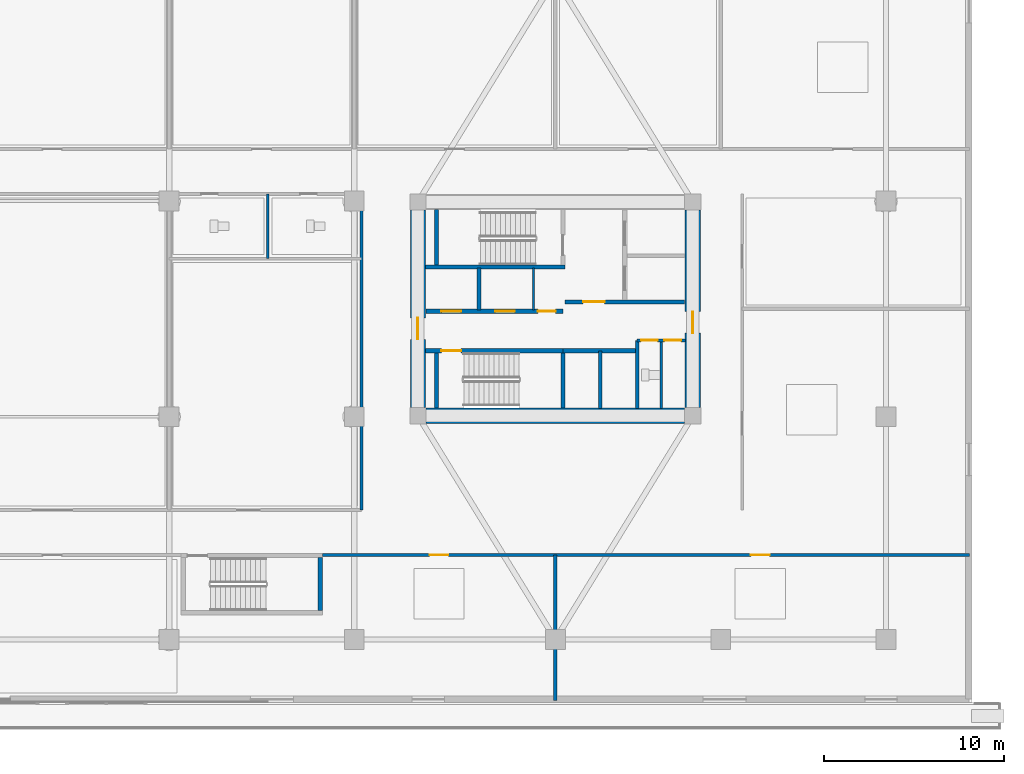
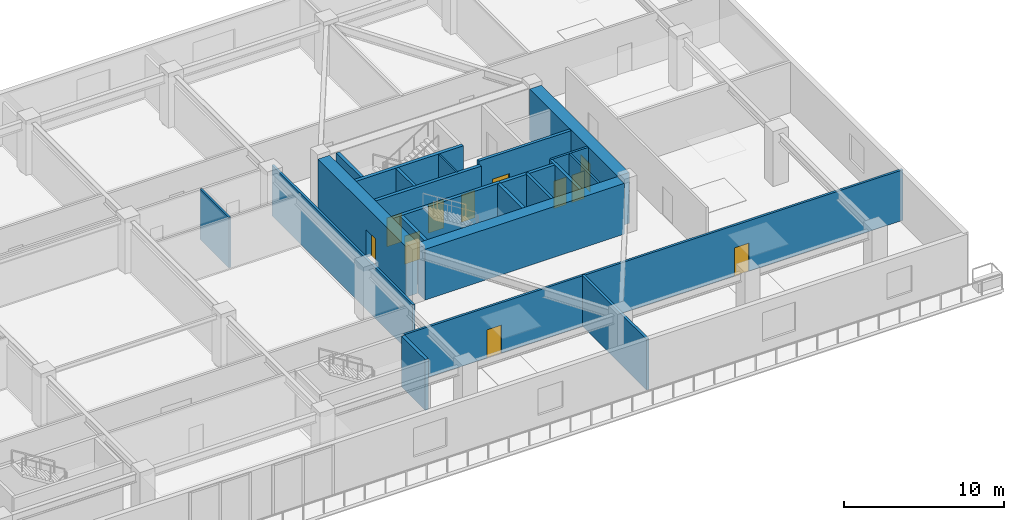
# One storey, part 11 of 23: 22 walls, 11 doors, 11 openings.
"""IFC4 building model written with IfcOpenShell, lengths in metres."""

from ifc_helpers import new_model, si_unit, direction, frame, frame_2d, origin, place, context, subcontext, project, spatial, rectangle, extrude, source, transform, mapped, material, layer, layer_set, type_object, type_shapes, element, fill, save


model = new_model("IFC4")

# Units and contexts
model_context = context("Model", 3, precision=1e-05, world=origin(), true_north=direction((0.0, 1.0)))
body_context = subcontext(model_context, "Body", "Model", "MODEL_VIEW")
ifc_project = project(units=[si_unit("LENGTHUNIT", "METRE"), si_unit("AREAUNIT", "SQUARE_METRE"), si_unit("VOLUMEUNIT", "CUBIC_METRE"), si_unit("PLANEANGLEUNIT", "RADIAN"), si_unit("MASSUNIT", "GRAM", prefix="KILO")], contexts=[model_context])

# Site, building, storey
site_placement = place(None, origin())
site = spatial("IfcSite", under=ifc_project, at=site_placement, CompositionType="ELEMENT")
building_placement = place(site_placement, origin())
building = spatial("IfcBuilding", under=site, at=building_placement, Name="Norrkilde Senior Care Towers", CompositionType="ELEMENT")
storey_placement = place(building_placement, frame((0.0, 0.0, 8.39990234375)))
storey = spatial("IfcBuildingStorey", under=building, at=storey_placement, Name="L02", CompositionType="ELEMENT", Elevation=8.39990234375)

# Wall
ifc_material_1 = material(Name="Concrete C60/75", Category="concrete")
ifc_layer_1 = layer(ifc_material_1, 0.85009765625)
ifc_layer_set_1 = layer_set([ifc_layer_1], Name="Concrete C60/75")
wall_type_1 = type_object("IfcWallType", Name="Core Shear Wall Z1 850", PredefinedType="SHEAR", material=ifc_layer_set_1)
shared_shape_1 = source(origin(), body_context, "Body", "SweptSolid", [
    extrude(rectangle(XDim=14.39990234375, YDim=0.85009765625, at=frame_2d((7.199951171875, 0.0))), origin(), (0.0, 0.0, 1.0), 3.880126953125),
])
wall_1_placement = place(storey_placement, frame((35.199951171875, -5.949951171875, 0.0), z_axis=(0.0, 0.0, 1.0), x_axis=(-1.0, 0.0, 0.0)))
element("IfcWall", 1, at=wall_1_placement, inside=storey, type_object=wall_type_1, Name="L02 Core E South Shear Wall", PredefinedType="SHEAR", context=body_context, shape_type="MappedRepresentation", body=[
    mapped(shared_shape_1, transform((0.0, 0.0, 0.0), x_axis=(1.0, 0.0, 0.0), y_axis=(0.0, 1.0, 0.0), z_axis=(0.0, 0.0, 1.0), scale=1.0)),
])

# Wall, opening, door
shared_shape_2 = source(origin(), body_context, "Body", "SweptSolid", [
    extrude(rectangle(XDim=11.0, YDim=0.85009765625, at=frame_2d((5.5, 0.0))), origin(), (0.0, 0.0, 1.0), 3.880126953125),
])
type_shapes(wall_type_1, [shared_shape_1, shared_shape_2])
wall_2_placement = place(storey_placement, frame((20.35009765625, -5.5, 0.0), z_axis=(0.0, 0.0, 1.0), x_axis=(0.0, 1.0, 0.0)))
wall_2 = element("IfcWall", 2, at=wall_2_placement, inside=storey, type_object=wall_type_1, Name="L02 Core E West Shear Wall", PredefinedType="SHEAR", context=body_context, shape_type="MappedRepresentation", body=[
    mapped(shared_shape_2, transform((0.0, 0.0, 0.0), x_axis=(1.0, 0.0, 0.0), y_axis=(0.0, 1.0, 0.0), z_axis=(0.0, 0.0, 1.0), scale=1.0)),
])
opening_1_placement = place(wall_2_placement, frame((3.800048828125, 0.0, 0.0)))
opening_1 = element("IfcOpeningElement", 3, at=opening_1_placement, cuts=wall_2, Name="Opening D-04", PredefinedType="OPENING", context=body_context, shape_type="SweptSolid", body=[
    extrude(rectangle(XDim=1.199951171875, YDim=2.14990234375, at=frame_2d((0.60009765625, 1.074951171875))), frame((0.0, 0.43505859375, 0.0), z_axis=(0.0, -1.0, 0.0), x_axis=(1.0, 0.0, 0.0)), (0.0, 0.0, 1.0), 0.8701171875),
])
ifc_material_2 = material(Name="Galvanised Painted Steel", Category="steel")
door_type_1 = type_object("IfcDoorType", Name="Firefighting Lobby Fire Door 1200x2150", OperationType="NOTDEFINED", PredefinedType="DOOR", material=ifc_material_2)
shared_shape_3 = source(origin(), body_context, "Body", "SweptSolid", [
    extrude(rectangle(XDim=1.199951171875, YDim=2.14990234375, at=frame_2d((0.60009765625, 1.074951171875))), frame((0.0, 0.02490234375, 0.0), z_axis=(0.0, -1.0, 0.0), x_axis=(1.0, 0.0, 0.0)), (0.0, 0.0, 1.0), 0.050048828125),
])
type_shapes(door_type_1, [shared_shape_3])
door_1_placement = place(opening_1_placement, frame((1.199951171875, 0.0, 0.0), z_axis=(0.0, 0.0, 1.0), x_axis=(-1.0, 0.0, 0.0)))
door_1 = element("IfcDoor", 4, at=door_1_placement, inside=storey, type_object=door_type_1, Name="L02 Core E West Portal Door", OperationType="SINGLE_SWING_LEFT", OverallHeight=2.14990234375, OverallWidth=1.199951171875, PredefinedType="DOOR", context=body_context, shape_type="MappedRepresentation", body=[
    mapped(shared_shape_3, transform((0.0, 0.0, 0.0), x_axis=(1.0, 0.0, 0.0), y_axis=(0.0, 1.0, 0.0), z_axis=(0.0, 0.0, 1.0), scale=1.0)),
])
fill(opening_1, door_1)

wall_3_placement = place(storey_placement, frame((35.64990234375, 5.5, 0.0), z_axis=(0.0, 0.0, 1.0), x_axis=(0.0, -1.0, 0.0)))
wall_3 = element("IfcWall", 5, at=wall_3_placement, inside=storey, type_object=wall_type_1, Name="L02 Core E East Shear Wall", PredefinedType="SHEAR", context=body_context, shape_type="MappedRepresentation", body=[
    mapped(shared_shape_2, transform((0.0, 0.0, 0.0), x_axis=(1.0, 0.0, 0.0), y_axis=(0.0, 1.0, 0.0), z_axis=(0.0, 0.0, 1.0), scale=1.0)),
])
opening_2_placement = place(wall_3_placement, frame((5.64990234375, 0.0, 0.0)))
opening_2 = element("IfcOpeningElement", 6, at=opening_2_placement, cuts=wall_3, Name="Opening D-04", PredefinedType="OPENING", context=body_context, shape_type="SweptSolid", body=[
    extrude(rectangle(XDim=1.199951171875, YDim=2.14990234375, at=frame_2d((0.60009765625, 1.074951171875))), frame((0.0, 0.43505859375, 0.0), z_axis=(0.0, -1.0, 0.0), x_axis=(1.0, 0.0, 0.0)), (0.0, 0.0, 1.0), 0.8701171875),
])
door_2_placement = place(opening_2_placement, frame((1.199951171875, 0.0, 0.0), z_axis=(0.0, 0.0, 1.0), x_axis=(-1.0, 0.0, 0.0)))
door_2 = element("IfcDoor", 7, at=door_2_placement, inside=storey, type_object=door_type_1, Name="L02 Core E East Portal Door", OperationType="SINGLE_SWING_RIGHT", OverallHeight=2.14990234375, OverallWidth=1.199951171875, PredefinedType="DOOR", context=body_context, shape_type="MappedRepresentation", body=[
    mapped(shared_shape_3, transform((0.0, 0.0, 0.0), x_axis=(1.0, 0.0, 0.0), y_axis=(0.0, 1.0, 0.0), z_axis=(0.0, 0.0, 1.0), scale=1.0)),
])
fill(opening_2, door_2)

ifc_material_3 = material(Name="Concrete C45/55", Category="concrete")
ifc_layer_2 = layer(ifc_material_3, 0.2099609375)
ifc_layer_set_2 = layer_set([ifc_layer_2], Name="Concrete C45/55")
wall_type_2 = type_object("IfcWallType", Name="Firefighting Lobby Wall 210", PredefinedType="PARTITIONING", material=ifc_layer_set_2)
shared_shape_4 = source(origin(), body_context, "Body", "SweptSolid", [
    extrude(rectangle(XDim=6.659912109375, YDim=0.2099609375, at=frame_2d((3.330078125, 0.0))), origin(), (0.0, 0.0, 1.0), 3.864990234375),
])
type_shapes(wall_type_2, [shared_shape_4])
wall_4_placement = place(storey_placement, frame((28.5400390625, 0.389892578125, 0.0), z_axis=(0.0, 0.0, 1.0), x_axis=(1.0, 0.0, 0.0)))
wall_4 = element("IfcWall", 8, at=wall_4_placement, inside=storey, type_object=wall_type_2, Name="WL-INT-L02-E-FFLS", PredefinedType="PARTITIONING", context=body_context, shape_type="MappedRepresentation", body=[
    mapped(shared_shape_4, transform((0.0, 0.0, 0.0), x_axis=(1.0, 0.0, 0.0), y_axis=(0.0, 1.0, 0.0), z_axis=(0.0, 0.0, 1.0), scale=1.0)),
])
opening_3_placement = place(wall_4_placement, frame((1.0, 0.0, 0.0)))
opening_3 = element("IfcOpeningElement", 9, at=opening_3_placement, cuts=wall_4, Name="Opening D-04", PredefinedType="OPENING", context=body_context, shape_type="SweptSolid", body=[
    extrude(rectangle(XDim=1.199951171875, YDim=2.14990234375, at=frame_2d((0.60009765625, 1.074951171875))), frame((0.0, 0.114990234375, 0.0), z_axis=(0.0, -1.0, 0.0), x_axis=(1.0, 0.0, 0.0)), (0.0, 0.0, 1.0), 0.22998046875),
])
door_3_placement = place(opening_3_placement, frame((1.199951171875, 0.0, 0.0), z_axis=(0.0, 0.0, 1.0), x_axis=(-1.0, 0.0, 0.0)))
door_3 = element("IfcDoor", 10, at=door_3_placement, inside=storey, type_object=door_type_1, Name="L02 Firefighting Lobby E Door", OperationType="SINGLE_SWING_LEFT", OverallHeight=2.14990234375, OverallWidth=1.199951171875, PredefinedType="DOOR", context=body_context, shape_type="MappedRepresentation", body=[
    mapped(shared_shape_3, transform((0.0, 0.0, 0.0), x_axis=(1.0, 0.0, 0.0), y_axis=(0.0, 1.0, 0.0), z_axis=(0.0, 0.0, 1.0), scale=1.0)),
])
fill(opening_3, door_3)

# Wall, openings, doors
ifc_layer_3 = layer(ifc_material_3, 0.239990234375)
ifc_layer_set_3 = layer_set([ifc_layer_3], Name="Concrete C45/55")
wall_type_3 = type_object("IfcWallType", Name="Lift and Plant Rated Enclosure Partition 240", PredefinedType="PARTITIONING", material=ifc_layer_set_3)
shared_shape_5 = source(origin(), body_context, "Body", "SweptSolid", [
    extrude(rectangle(XDim=7.619873046875, YDim=0.239990234375, at=frame_2d((3.81005859375, 0.0))), origin(), (0.0, 0.0, 1.0), 3.864990234375),
])
wall_5_placement = place(storey_placement, frame((20.800048828125, -0.1298828125, 0.0), z_axis=(0.0, 0.0, 1.0), x_axis=(1.0, 0.0, 0.0)))
wall_5 = element("IfcWall", 11, at=wall_5_placement, inside=storey, type_object=wall_type_3, Name="WL-INT-L02-E-PKAS", PredefinedType="PARTITIONING", context=body_context, shape_type="MappedRepresentation", body=[
    mapped(shared_shape_5, transform((0.0, 0.0, 0.0), x_axis=(1.0, 0.0, 0.0), y_axis=(0.0, 1.0, 0.0), z_axis=(0.0, 0.0, 1.0), scale=1.0)),
])
opening_4_placement = place(wall_5_placement, frame((6.219970703125, 0.0, 0.0)))
opening_4 = element("IfcOpeningElement", 12, at=opening_4_placement, cuts=wall_5, Name="Opening D-10", PredefinedType="OPENING", context=body_context, shape_type="SweptSolid", body=[
    extrude(rectangle(XDim=1.0, YDim=2.10009765625, at=frame_2d((0.5, 1.050048828125))), frame((0.0, 0.1298828125, 0.0), z_axis=(0.0, -1.0, 0.0), x_axis=(1.0, 0.0, 0.0)), (0.0, 0.0, 1.0), 0.260009765625),
])
opening_5_placement = place(wall_5_placement, frame((0.85009765625, 0.0, 0.0)))
opening_5 = element("IfcOpeningElement", 13, at=opening_5_placement, cuts=wall_5, Name="Opening LD-01", PredefinedType="OPENING", context=body_context, shape_type="SweptSolid", body=[
    extrude(rectangle(XDim=1.10009765625, YDim=2.199951171875, at=frame_2d((0.550048828125, 1.10009765625))), frame((0.0, 0.1298828125, 0.0), z_axis=(0.0, -1.0, 0.0), x_axis=(1.0, 0.0, 0.0)), (0.0, 0.0, 1.0), 0.260009765625),
])
opening_6_placement = place(wall_5_placement, frame((3.85009765625, 0.0, 0.0)))
opening_6 = element("IfcOpeningElement", 14, at=opening_6_placement, cuts=wall_5, Name="Opening LD-01", PredefinedType="OPENING", context=body_context, shape_type="SweptSolid", body=[
    extrude(rectangle(XDim=1.10009765625, YDim=2.199951171875, at=frame_2d((0.550048828125, 1.10009765625))), frame((0.0, 0.1298828125, 0.0), z_axis=(0.0, -1.0, 0.0), x_axis=(1.0, 0.0, 0.0)), (0.0, 0.0, 1.0), 0.260009765625),
])
door_type_2 = type_object("IfcDoorType", Name="Plant and Riser Rated Door 1000x2100", OperationType="NOTDEFINED", PredefinedType="DOOR", material=ifc_material_2)
shared_shape_6 = source(origin(), body_context, "Body", "SweptSolid", [
    extrude(rectangle(XDim=1.0, YDim=2.10009765625, at=frame_2d((0.5, 1.050048828125))), frame((0.0, 0.02490234375, 0.0), z_axis=(0.0, -1.0, 0.0), x_axis=(1.0, 0.0, 0.0)), (0.0, 0.0, 1.0), 0.050048828125),
])
type_shapes(door_type_2, [shared_shape_6])
door_4_placement = place(opening_4_placement, frame((1.0, 0.0, 0.0), z_axis=(0.0, 0.0, 1.0), x_axis=(-1.0, 0.0, 0.0)))
door_4 = element("IfcDoor", 15, at=door_4_placement, inside=storey, type_object=door_type_2, Name="L02 Electrical Riser E Door", OperationType="SINGLE_SWING_LEFT", OverallHeight=2.10009765625, OverallWidth=1.0, PredefinedType="DOOR", context=body_context, shape_type="MappedRepresentation", body=[
    mapped(shared_shape_6, transform((0.0, 0.0, 0.0), x_axis=(1.0, 0.0, 0.0), y_axis=(0.0, 1.0, 0.0), z_axis=(0.0, 0.0, 1.0), scale=1.0)),
])
fill(opening_4, door_4)
ifc_material_4 = material(Name="Stainless Steel", Category="steel")
door_type_3 = type_object("IfcDoorType", Name="Lift Landing Sliding Door 1100x2200", OperationType="NOTDEFINED", PredefinedType="DOOR", material=ifc_material_4)
shared_shape_7 = source(origin(), body_context, "Body", "SweptSolid", [
    extrude(rectangle(XDim=1.10009765625, YDim=2.199951171875, at=frame_2d((0.550048828125, 1.10009765625))), frame((0.0, 0.02490234375, 0.0), z_axis=(0.0, -1.0, 0.0), x_axis=(1.0, 0.0, 0.0)), (0.0, 0.0, 1.0), 0.050048828125),
])
type_shapes(door_type_3, [shared_shape_7])
door_5_placement = place(opening_5_placement, origin())
door_5 = element("IfcDoor", 16, at=door_5_placement, inside=storey, type_object=door_type_3, Name="L02 Passenger Lift E1 Landing Door", OperationType="SLIDING_TO_LEFT", OverallHeight=2.199951171875, OverallWidth=1.10009765625, PredefinedType="DOOR", context=body_context, shape_type="MappedRepresentation", body=[
    mapped(shared_shape_7, transform((0.0, 0.0, 0.0), x_axis=(1.0, 0.0, 0.0), y_axis=(0.0, 1.0, 0.0), z_axis=(0.0, 0.0, 1.0), scale=1.0)),
])
fill(opening_5, door_5)
door_6_placement = place(opening_6_placement, origin())
door_6 = element("IfcDoor", 17, at=door_6_placement, inside=storey, type_object=door_type_3, Name="L02 Passenger Lift E2 Landing Door", OperationType="SLIDING_TO_RIGHT", OverallHeight=2.199951171875, OverallWidth=1.10009765625, PredefinedType="DOOR", context=body_context, shape_type="MappedRepresentation", body=[
    mapped(shared_shape_7, transform((0.0, 0.0, 0.0), x_axis=(1.0, 0.0, 0.0), y_axis=(0.0, 1.0, 0.0), z_axis=(0.0, 0.0, 1.0), scale=1.0)),
])
fill(opening_6, door_6)

# Walls
ifc_material_5 = material(Name="Gypsum Acoustic Board")
ifc_layer_4 = layer(ifc_material_5, 0.114990234375)
ifc_layer_set_4 = layer_set([ifc_layer_4], Name="Gypsum Acoustic Board")
wall_type_4 = type_object("IfcWallType", Name="Internal Room Partition 115", PredefinedType="PARTITIONING", material=ifc_layer_set_4)
shared_shape_8 = source(origin(), body_context, "Body", "SweptSolid", [
    extrude(rectangle(XDim=2.330078125, YDim=0.114990234375, at=frame_2d((1.1650390625, 0.0))), origin(), (0.0, 0.0, 1.0), 3.864990234375),
])
type_shapes(wall_type_4, [shared_shape_8])
wall_6_placement = place(storey_placement, frame((26.7900390625, -0.050048828125, 0.0), z_axis=(0.0, 0.0, 1.0), x_axis=(0.0, 1.0, 0.0)))
element("IfcWall", 18, at=wall_6_placement, inside=storey, type_object=wall_type_4, Name="WL-INT-L02-E-RISW", PredefinedType="PARTITIONING", context=body_context, shape_type="MappedRepresentation", body=[
    mapped(shared_shape_8, transform((0.0, 0.0, 0.0), x_axis=(1.0, 0.0, 0.0), y_axis=(0.0, 1.0, 0.0), z_axis=(0.0, 0.0, 1.0), scale=1.0)),
])
ifc_layer_5 = layer(ifc_material_3, 0.199951171875)
ifc_layer_set_5 = layer_set([ifc_layer_5], Name="Concrete C45/55")
wall_type_5 = type_object("IfcWallType", Name="Shaft Division and Plant Partition 200", PredefinedType="PARTITIONING", material=ifc_layer_set_5)
shared_shape_9 = source(origin(), body_context, "Body", "SweptSolid", [
    extrude(rectangle(XDim=2.330078125, YDim=0.199951171875, at=frame_2d((1.1650390625, 0.0))), origin(), (0.0, 0.0, 1.0), 3.864990234375),
])
wall_7_placement = place(storey_placement, frame((23.75, -0.050048828125, 0.0), z_axis=(0.0, 0.0, 1.0), x_axis=(0.0, 1.0, 0.0)))
element("IfcWall", 19, at=wall_7_placement, inside=storey, type_object=wall_type_5, Name="WL-INT-L02-E-PL12", PredefinedType="PARTITIONING", context=body_context, shape_type="MappedRepresentation", body=[
    mapped(shared_shape_9, transform((0.0, 0.0, 0.0), x_axis=(1.0, 0.0, 0.0), y_axis=(0.0, 1.0, 0.0), z_axis=(0.0, 0.0, 1.0), scale=1.0)),
])
shared_shape_10 = source(origin(), body_context, "Body", "SweptSolid", [
    extrude(rectangle(XDim=3.800048828125, YDim=0.199951171875, at=frame_2d((1.89990234375, 0.0))), origin(), (0.0, 0.0, 1.0), 3.864990234375),
])
type_shapes(wall_type_5, [shared_shape_9, shared_shape_10])
wall_8_placement = place(storey_placement, frame((32.550048828125, -5.550048828125, 0.0), z_axis=(0.0, 0.0, 1.0), x_axis=(0.0, 1.0, 0.0)))
element("IfcWall", 20, at=wall_8_placement, inside=storey, type_object=wall_type_5, Name="WL-INT-L02-E-PKBE", PredefinedType="PARTITIONING", context=body_context, shape_type="MappedRepresentation", body=[
    mapped(shared_shape_10, transform((0.0, 0.0, 0.0), x_axis=(1.0, 0.0, 0.0), y_axis=(0.0, 1.0, 0.0), z_axis=(0.0, 0.0, 1.0), scale=1.0)),
])
shared_shape_11 = source(origin(), body_context, "Body", "SweptSolid", [
    extrude(rectangle(XDim=4.130126953125, YDim=0.239990234375, at=frame_2d((2.06494140625, 0.0))), origin(), (0.0, 0.0, 1.0), 3.864990234375),
])
type_shapes(wall_type_3, [shared_shape_5, shared_shape_11])
wall_9_placement = place(storey_placement, frame((28.419921875, -2.330078125, 0.0), z_axis=(0.0, 0.0, 1.0), x_axis=(1.0, 0.0, 0.0)))
element("IfcWall", 21, at=wall_9_placement, inside=storey, type_object=wall_type_3, Name="WL-INT-L02-E-PKBN", PredefinedType="PARTITIONING", context=body_context, shape_type="MappedRepresentation", body=[
    mapped(shared_shape_11, transform((0.0, 0.0, 0.0), x_axis=(1.0, 0.0, 0.0), y_axis=(0.0, 1.0, 0.0), z_axis=(0.0, 0.0, 1.0), scale=1.0)),
])
ifc_layer_6 = layer(ifc_material_3, 0.179931640625)
ifc_layer_set_6 = layer_set([ifc_layer_6], Name="Concrete C45/55")
wall_type_6 = type_object("IfcWallType", Name="Hoistway Division Rated Partition 180", PredefinedType="PARTITIONING", material=ifc_layer_set_6)
shared_shape_12 = source(origin(), body_context, "Body", "SweptSolid", [
    extrude(rectangle(XDim=3.219970703125, YDim=0.179931640625, at=frame_2d((1.60986328125, 0.0))), origin(), (0.0, 0.0, 1.0), 3.864990234375),
])
type_shapes(wall_type_6, [shared_shape_12])
wall_10_placement = place(storey_placement, frame((30.5, -5.550048828125, 0.0), z_axis=(0.0, 0.0, 1.0), x_axis=(0.0, 1.0, 0.0)))
element("IfcWall", 22, at=wall_10_placement, inside=storey, type_object=wall_type_6, Name="WL-INT-L02-E-PL34", PredefinedType="PARTITIONING", context=body_context, shape_type="MappedRepresentation", body=[
    mapped(shared_shape_12, transform((0.0, 0.0, 0.0), x_axis=(1.0, 0.0, 0.0), y_axis=(0.0, 1.0, 0.0), z_axis=(0.0, 0.0, 1.0), scale=1.0)),
])

# Wall, openings, doors
ifc_layer_7 = layer(ifc_material_5, 0.1650390625)
ifc_layer_set_7 = layer_set([ifc_layer_7], Name="Gypsum Acoustic Board")
wall_type_7 = type_object("IfcWallType", Name="Corridor Rated Partition 165", PredefinedType="PARTITIONING", material=ifc_layer_set_7)
shared_shape_13 = source(origin(), body_context, "Body", "SweptSolid", [
    extrude(rectangle(XDim=2.699951171875, YDim=0.1650390625, at=frame_2d((1.35009765625, 0.0))), origin(), (0.0, 0.0, 1.0), 3.864990234375),
])
wall_11_placement = place(storey_placement, frame((32.550048828125, -1.75, 0.0), z_axis=(0.0, 0.0, 1.0), x_axis=(1.0, 0.0, 0.0)))
wall_11 = element("IfcWall", 23, at=wall_11_placement, inside=storey, type_object=wall_type_7, Name="WL-INT-L02-E-CSN", PredefinedType="PARTITIONING", context=body_context, shape_type="MappedRepresentation", body=[
    mapped(shared_shape_13, transform((0.0, 0.0, 0.0), x_axis=(1.0, 0.0, 0.0), y_axis=(0.0, 1.0, 0.0), z_axis=(0.0, 0.0, 1.0), scale=1.0)),
])
opening_7_placement = place(wall_11_placement, frame((0.222412109375, 0.0, 0.0)))
opening_7 = element("IfcOpeningElement", 24, at=opening_7_placement, cuts=wall_11, Name="Opening D-12", PredefinedType="OPENING", context=body_context, shape_type="SweptSolid", body=[
    extrude(rectangle(XDim=0.925048828125, YDim=2.10009765625, at=frame_2d((0.46240234375, 1.050048828125))), frame((0.0, 0.092529296875, 0.0), z_axis=(0.0, -1.0, 0.0), x_axis=(1.0, 0.0, 0.0)), (0.0, 0.0, 1.0), 0.18505859375),
])
opening_8_placement = place(wall_11_placement, frame((1.5224609375, 0.0, 0.0)))
opening_8 = element("IfcOpeningElement", 25, at=opening_8_placement, cuts=wall_11, Name="Opening D-12", PredefinedType="OPENING", context=body_context, shape_type="SweptSolid", body=[
    extrude(rectangle(XDim=0.925048828125, YDim=2.10009765625, at=frame_2d((0.46240234375, 1.050048828125))), frame((0.0, 0.092529296875, 0.0), z_axis=(0.0, -1.0, 0.0), x_axis=(1.0, 0.0, 0.0)), (0.0, 0.0, 1.0), 0.18505859375),
])
door_type_4 = type_object("IfcDoorType", Name="Core Wet Room Rated Door 925x2100", OperationType="NOTDEFINED", PredefinedType="DOOR", material=ifc_material_2)
shared_shape_14 = source(origin(), body_context, "Body", "SweptSolid", [
    extrude(rectangle(XDim=0.925048828125, YDim=2.10009765625, at=frame_2d((0.46240234375, 1.050048828125))), frame((0.0, 0.02490234375, 0.0), z_axis=(0.0, -1.0, 0.0), x_axis=(1.0, 0.0, 0.0)), (0.0, 0.0, 1.0), 0.050048828125),
])
type_shapes(door_type_4, [shared_shape_14])
door_7_placement = place(opening_7_placement, origin())
door_7 = element("IfcDoor", 26, at=door_7_placement, inside=storey, type_object=door_type_4, Name="L02 Staff Accessible WC E Door", OperationType="SINGLE_SWING_LEFT", OverallHeight=2.10009765625, OverallWidth=0.925048828125, PredefinedType="DOOR", context=body_context, shape_type="MappedRepresentation", body=[
    mapped(shared_shape_14, transform((0.0, 0.0, 0.0), x_axis=(1.0, 0.0, 0.0), y_axis=(0.0, 1.0, 0.0), z_axis=(0.0, 0.0, 1.0), scale=1.0)),
])
fill(opening_7, door_7)
door_8_placement = place(opening_8_placement, origin())
door_8 = element("IfcDoor", 27, at=door_8_placement, inside=storey, type_object=door_type_4, Name="L02 Housekeeping Store E Door", OperationType="SINGLE_SWING_RIGHT", OverallHeight=2.10009765625, OverallWidth=0.925048828125, PredefinedType="DOOR", context=body_context, shape_type="MappedRepresentation", body=[
    mapped(shared_shape_14, transform((0.0, 0.0, 0.0), x_axis=(1.0, 0.0, 0.0), y_axis=(0.0, 1.0, 0.0), z_axis=(0.0, 0.0, 1.0), scale=1.0)),
])
fill(opening_8, door_8)

# Walls
shared_shape_15 = source(origin(), body_context, "Body", "SweptSolid", [
    extrude(rectangle(XDim=17.599853515625, YDim=0.1650390625, at=frame_2d((8.7998046875, 0.0))), origin(), (0.0, 0.0, 1.0), 3.864990234375),
])
wall_12_placement = place(storey_placement, frame((17.199951171875, -11.199951171875, 0.0), z_axis=(0.0, 0.0, 1.0), x_axis=(0.0, 1.0, 0.0)))
element("IfcWall", 28, at=wall_12_placement, inside=storey, type_object=wall_type_7, Name="WL-INT-L02-POD-E", PredefinedType="PARTITIONING", context=body_context, shape_type="MappedRepresentation", body=[
    mapped(shared_shape_15, transform((0.0, 0.0, 0.0), x_axis=(1.0, 0.0, 0.0), y_axis=(0.0, 1.0, 0.0), z_axis=(0.0, 0.0, 1.0), scale=1.0)),
])
ifc_layer_8 = layer(ifc_material_5, 0.139892578125)
ifc_layer_set_8 = layer_set([ifc_layer_8], Name="Gypsum Acoustic Board")
wall_type_8 = type_object("IfcWallType", Name="En-suite Wet Room Wall 140", PredefinedType="PARTITIONING", material=ifc_layer_set_8)
shared_shape_16 = source(origin(), body_context, "Body", "SweptSolid", [
    extrude(rectangle(XDim=3.599853515625, YDim=0.139892578125, at=frame_2d((1.7998046875, 0.0))), origin(), (0.0, 0.0, 1.0), 3.864990234375),
])
wall_13_placement = place(storey_placement, frame((12.0, 2.800048828125, 0.0), z_axis=(0.0, 0.0, 1.0), x_axis=(0.0, 1.0, 0.0)))
element("IfcWall", 29, at=wall_13_placement, inside=storey, type_object=wall_type_8, Name="WL-INT-L02-POD-WC2", PredefinedType="PARTITIONING", context=body_context, shape_type="MappedRepresentation", body=[
    mapped(shared_shape_16, transform((0.0, 0.0, 0.0), x_axis=(1.0, 0.0, 0.0), y_axis=(0.0, 1.0, 0.0), z_axis=(0.0, 0.0, 1.0), scale=1.0)),
])
ifc_layer_9 = layer(ifc_material_3, 0.239990234375)
ifc_layer_set_9 = layer_set([ifc_layer_9], Name="Concrete C45/55")
wall_type_9 = type_object("IfcWallType", Name="Shaft and Stair Enclosure Wall 240", PredefinedType="PARTITIONING", material=ifc_layer_set_9)
shared_shape_17 = source(origin(), body_context, "Body", "SweptSolid", [
    extrude(rectangle(XDim=7.76513671875, YDim=0.239990234375, at=frame_2d((3.882568359375, 0.0))), origin(), (0.0, 0.0, 1.0), 3.880126953125),
])
wall_14_placement = place(storey_placement, frame((20.77490234375, 2.330078125, 0.0), z_axis=(0.0, 0.0, 1.0), x_axis=(1.0, 0.0, 0.0)))
element("IfcWall", 30, at=wall_14_placement, inside=storey, type_object=wall_type_9, Name="WL-INT-L02-E-ST1S", PredefinedType="PARTITIONING", context=body_context, shape_type="MappedRepresentation", body=[
    mapped(shared_shape_17, transform((0.0, 0.0, 0.0), x_axis=(1.0, 0.0, 0.0), y_axis=(0.0, 1.0, 0.0), z_axis=(0.0, 0.0, 1.0), scale=1.0)),
])

# Wall, opening, door
wall_15_placement = place(storey_placement, frame((20.77490234375, -2.330078125, 0.0), z_axis=(0.0, 0.0, 1.0), x_axis=(1.0, 0.0, 0.0)))
wall_15 = element("IfcWall", 31, at=wall_15_placement, inside=storey, type_object=wall_type_9, Name="WL-INT-L02-E-ST2N", PredefinedType="PARTITIONING", context=body_context, shape_type="MappedRepresentation", body=[
    mapped(shared_shape_17, transform((0.0, 0.0, 0.0), x_axis=(1.0, 0.0, 0.0), y_axis=(0.0, 1.0, 0.0), z_axis=(0.0, 0.0, 1.0), scale=1.0)),
])
opening_9_placement = place(wall_15_placement, frame((0.885009765625, 0.0, 0.0)))
opening_9 = element("IfcOpeningElement", 32, at=opening_9_placement, cuts=wall_15, Name="Opening D-03", PredefinedType="OPENING", context=body_context, shape_type="SweptSolid", body=[
    extrude(rectangle(XDim=1.10009765625, YDim=2.14990234375, at=frame_2d((0.550048828125, 1.074951171875))), frame((0.0, 0.1298828125, 0.0), z_axis=(0.0, -1.0, 0.0), x_axis=(1.0, 0.0, 0.0)), (0.0, 0.0, 1.0), 0.260009765625),
])
door_type_5 = type_object("IfcDoorType", Name="Stairwell Protected Fire Door 1100x2150", OperationType="NOTDEFINED", PredefinedType="DOOR", material=ifc_material_2)
shared_shape_18 = source(origin(), body_context, "Body", "SweptSolid", [
    extrude(rectangle(XDim=1.10009765625, YDim=2.14990234375, at=frame_2d((0.550048828125, 1.074951171875))), frame((0.0, 0.02490234375, 0.0), z_axis=(0.0, -1.0, 0.0), x_axis=(1.0, 0.0, 0.0)), (0.0, 0.0, 1.0), 0.050048828125),
])
type_shapes(door_type_5, [shared_shape_18])
door_9_placement = place(opening_9_placement, frame((1.10009765625, 0.0, 0.0), z_axis=(0.0, 0.0, 1.0), x_axis=(-1.0, 0.0, 0.0)))
door_9 = element("IfcDoor", 33, at=door_9_placement, inside=storey, type_object=door_type_5, Name="L02 Stair E2 Fire Door", OperationType="SINGLE_SWING_RIGHT", OverallHeight=2.14990234375, OverallWidth=1.10009765625, PredefinedType="DOOR", context=body_context, shape_type="MappedRepresentation", body=[
    mapped(shared_shape_18, transform((0.0, 0.0, 0.0), x_axis=(1.0, 0.0, 0.0), y_axis=(0.0, 1.0, 0.0), z_axis=(0.0, 0.0, 1.0), scale=1.0)),
])
fill(opening_9, door_9)

# Walls
shared_shape_19 = source(origin(), body_context, "Body", "SweptSolid", [
    extrude(rectangle(XDim=3.074951171875, YDim=0.239990234375, at=frame_2d((1.53759765625, 0.0))), origin(), (0.0, 0.0, 1.0), 3.880126953125),
])
for number, where, z_axis, x_axis, name in (
    (34, (21.3798828125, 2.449951171875, 0.0), (0.0, 0.0, 1.0), (0.0, 1.0, 0.0), "WL-INT-L02-E-ST1W"),
    (35, (21.3798828125, -5.52490234375, 0.0), (0.0, 0.0, 1.0), (0.0, 1.0, 0.0), "WL-INT-L02-E-ST2W"),
    (36, (28.419921875, -5.52490234375, 0.0), (0.0, 0.0, 1.0), (0.0, 1.0, 0.0), "WL-INT-L02-E-ST2E"),
):
    element("IfcWall", number, at=place(storey_placement, frame(where, z_axis=z_axis, x_axis=x_axis)), inside=storey, type_object=wall_type_9, Name=name, PredefinedType="PARTITIONING", context=body_context, shape_type="MappedRepresentation", body=[
        mapped(shared_shape_19, transform((0.0, 0.0, 0.0), x_axis=(1.0, 0.0, 0.0), y_axis=(0.0, 1.0, 0.0), z_axis=(0.0, 0.0, 1.0), scale=1.0)),
    ])
shared_shape_20 = source(origin(), body_context, "Body", "SweptSolid", [
    extrude(rectangle(XDim=2.949951171875, YDim=0.239990234375, at=frame_2d((1.47509765625, 0.0))), origin(), (0.0, 0.0, 1.0), 3.880126953125),
])
type_shapes(wall_type_9, [shared_shape_17, shared_shape_19, shared_shape_20])
wall_16_placement = place(storey_placement, frame((14.919921875, -16.800048828125, 0.0), z_axis=(0.0, 0.0, 1.0), x_axis=(0.0, 1.0, 0.0)))
element("IfcWall", 37, at=wall_16_placement, inside=storey, type_object=wall_type_9, Name="WL-INT-L02-STP2-E", PredefinedType="PARTITIONING", context=body_context, shape_type="MappedRepresentation", body=[
    mapped(shared_shape_20, transform((0.0, 0.0, 0.0), x_axis=(1.0, 0.0, 0.0), y_axis=(0.0, 1.0, 0.0), z_axis=(0.0, 0.0, 1.0), scale=1.0)),
])
shared_shape_21 = source(origin(), body_context, "Body", "SweptSolid", [
    extrude(rectangle(XDim=3.800048828125, YDim=0.139892578125, at=frame_2d((1.89990234375, 0.0))), origin(), (0.0, 0.0, 1.0), 3.864990234375),
])
type_shapes(wall_type_8, [shared_shape_16, shared_shape_21])
wall_17_placement = place(storey_placement, frame((33.89990234375, -5.550048828125, 0.0), z_axis=(0.0, 0.0, 1.0), x_axis=(0.0, 1.0, 0.0)))
element("IfcWall", 38, at=wall_17_placement, inside=storey, type_object=wall_type_8, Name="WL-INT-L02-E-CS1V", PredefinedType="PARTITIONING", context=body_context, shape_type="MappedRepresentation", body=[
    mapped(shared_shape_21, transform((0.0, 0.0, 0.0), x_axis=(1.0, 0.0, 0.0), y_axis=(0.0, 1.0, 0.0), z_axis=(0.0, 0.0, 1.0), scale=1.0)),
])

# Wall, openings, doors
shared_shape_22 = source(origin(), body_context, "Body", "SweptSolid", [
    extrude(rectangle(XDim=36.0, YDim=0.1650390625, at=frame_2d((18.0, 0.0))), origin(), (0.0, 0.0, 1.0), 3.864990234375),
])
type_shapes(wall_type_7, [shared_shape_13, shared_shape_15, shared_shape_22])
wall_18_placement = place(storey_placement, frame((15.050048828125, -13.699951171875, 0.0), z_axis=(0.0, 0.0, 1.0), x_axis=(1.0, 0.0, 0.0)))
wall_18 = element("IfcWall", 39, at=wall_18_placement, inside=storey, type_object=wall_type_7, Name="WL-INT-L02-POD-SPE", PredefinedType="PARTITIONING", context=body_context, shape_type="MappedRepresentation", body=[
    mapped(shared_shape_22, transform((0.0, 0.0, 0.0), x_axis=(1.0, 0.0, 0.0), y_axis=(0.0, 1.0, 0.0), z_axis=(0.0, 0.0, 1.0), scale=1.0)),
])
opening_10_placement = place(wall_18_placement, frame((5.949951171875, 0.0, 0.0)))
opening_10 = element("IfcOpeningElement", 40, at=opening_10_placement, cuts=wall_18, Name="Opening D-06", PredefinedType="OPENING", context=body_context, shape_type="SweptSolid", body=[
    extrude(rectangle(XDim=1.050048828125, YDim=2.14990234375, at=frame_2d((0.52490234375, 1.074951171875))), frame((0.0, 0.092529296875, 0.0), z_axis=(0.0, -1.0, 0.0), x_axis=(1.0, 0.0, 0.0)), (0.0, 0.0, 1.0), 0.18505859375),
])
opening_11_placement = place(wall_18_placement, frame((23.824951171875, 0.0, 0.0)))
opening_11 = element("IfcOpeningElement", 41, at=opening_11_placement, cuts=wall_18, Name="Opening D-06", PredefinedType="OPENING", context=body_context, shape_type="SweptSolid", body=[
    extrude(rectangle(XDim=1.050048828125, YDim=2.14990234375, at=frame_2d((0.52490234375, 1.074951171875))), frame((0.0, 0.092529296875, 0.0), z_axis=(0.0, -1.0, 0.0), x_axis=(1.0, 0.0, 0.0)), (0.0, 0.0, 1.0), 0.18505859375),
])
ifc_material_6 = material(Name="Nordic Ash Timber", Category="wood")
door_type_6 = type_object("IfcDoorType", Name="Apartment Entrance Fire Door 1050x2150", OperationType="NOTDEFINED", PredefinedType="DOOR", material=ifc_material_6)
shared_shape_23 = source(origin(), body_context, "Body", "SweptSolid", [
    extrude(rectangle(XDim=1.050048828125, YDim=2.14990234375, at=frame_2d((0.52490234375, 1.074951171875))), frame((0.0, 0.02490234375, 0.0), z_axis=(0.0, -1.0, 0.0), x_axis=(1.0, 0.0, 0.0)), (0.0, 0.0, 1.0), 0.050048828125),
])
type_shapes(door_type_6, [shared_shape_23])
door_10_placement = place(opening_10_placement, frame((1.050048828125, 0.0, 0.0), z_axis=(0.0, 0.0, 1.0), x_axis=(-1.0, 0.0, 0.0)))
door_10 = element("IfcDoor", 42, at=door_10_placement, inside=storey, type_object=door_type_6, Name="L02 South Suite SE1 Door", OperationType="SINGLE_SWING_RIGHT", OverallHeight=2.14990234375, OverallWidth=1.050048828125, PredefinedType="DOOR", context=body_context, shape_type="MappedRepresentation", body=[
    mapped(shared_shape_23, transform((0.0, 0.0, 0.0), x_axis=(1.0, 0.0, 0.0), y_axis=(0.0, 1.0, 0.0), z_axis=(0.0, 0.0, 1.0), scale=1.0)),
])
fill(opening_10, door_10)
door_11_placement = place(opening_11_placement, frame((1.050048828125, 0.0, 0.0), z_axis=(0.0, 0.0, 1.0), x_axis=(-1.0, 0.0, 0.0)))
door_11 = element("IfcDoor", 43, at=door_11_placement, inside=storey, type_object=door_type_6, Name="L02 South Suite SE2 Door", OperationType="SINGLE_SWING_LEFT", OverallHeight=2.14990234375, OverallWidth=1.050048828125, PredefinedType="DOOR", context=body_context, shape_type="MappedRepresentation", body=[
    mapped(shared_shape_23, transform((0.0, 0.0, 0.0), x_axis=(1.0, 0.0, 0.0), y_axis=(0.0, 1.0, 0.0), z_axis=(0.0, 0.0, 1.0), scale=1.0)),
])
fill(opening_11, door_11)

# Wall
ifc_layer_10 = layer(ifc_material_5, 0.18994140625)
ifc_layer_set_10 = layer_set([ifc_layer_10], Name="Gypsum Acoustic Board")
wall_type_10 = type_object("IfcWallType", Name="Unit Demising Acoustic Wall 190", PredefinedType="PARTITIONING", material=ifc_layer_set_10)
shared_shape_24 = source(origin(), body_context, "Body", "SweptSolid", [
    extrude(rectangle(XDim=8.10009765625, YDim=0.18994140625, at=frame_2d((4.050048828125, 0.0))), origin(), (0.0, 0.0, 1.0), 3.864990234375),
])
type_shapes(wall_type_10, [shared_shape_24])
wall_19_placement = place(storey_placement, frame((28.0, -21.800048828125, 0.0), z_axis=(0.0, 0.0, 1.0), x_axis=(0.0, 1.0, 0.0)))
element("IfcWall", 44, at=wall_19_placement, inside=storey, type_object=wall_type_10, Name="WL-INT-L02-POD-SED", PredefinedType="PARTITIONING", context=body_context, shape_type="MappedRepresentation", body=[
    mapped(shared_shape_24, transform((0.0, 0.0, 0.0), x_axis=(1.0, 0.0, 0.0), y_axis=(0.0, 1.0, 0.0), z_axis=(0.0, 0.0, 1.0), scale=1.0)),
])

save(model, "model.ifc")
